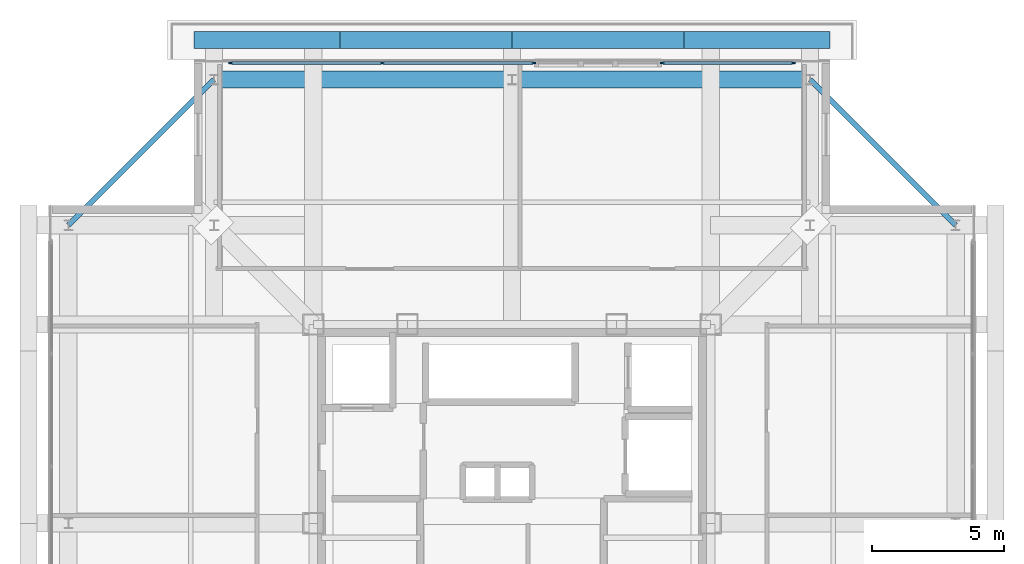
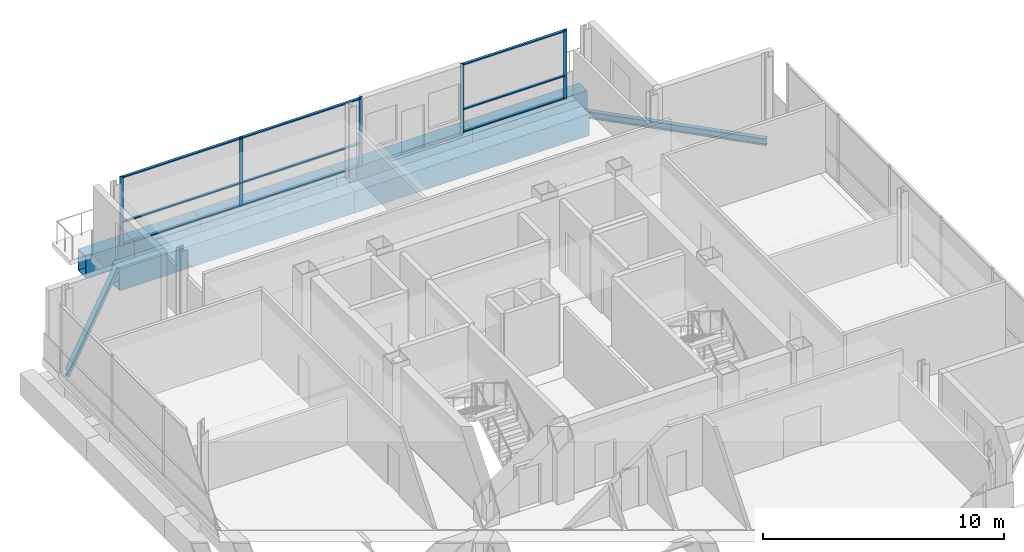
# One storey, part 7 of 15: 14 members, 8 beams, 2 elements without a shape of their own.
"""IFC4 building model written with IfcOpenShell, lengths in metres."""

from ifc_helpers import new_model, si_unit, direction, frame, origin, origin_2d, place, context, subcontext, project, spatial, rectangle, hollow_rectangle, i_section, extrude, material, layer, layer_set, material_profile, profile_set, type_object, element, aggregate, save


model = new_model("IFC4")

# Units and contexts
model_context = context("Model", 3, precision=1e-05, world=origin(), true_north=direction((0.0, 1.0)))
body_context = subcontext(model_context, "Body", "Model", "MODEL_VIEW")
ifc_project = project(units=[si_unit("LENGTHUNIT", "METRE"), si_unit("AREAUNIT", "SQUARE_METRE"), si_unit("VOLUMEUNIT", "CUBIC_METRE"), si_unit("PLANEANGLEUNIT", "RADIAN"), si_unit("MASSUNIT", "GRAM", prefix="KILO")], contexts=[model_context])

# Site, building, storey
site_placement = place(None, origin())
site = spatial("IfcSite", under=ifc_project, at=site_placement, CompositionType="ELEMENT")
building_placement = place(site_placement, origin())
building = spatial("IfcBuilding", under=site, at=building_placement, Name="Trevonay Congress Spire", CompositionType="ELEMENT")
storey_placement = place(building_placement, frame((0.0, 0.0, 300.800048828125)))
storey = spatial("IfcBuildingStorey", under=building, at=storey_placement, Name="L79", CompositionType="ELEMENT", Elevation=300.800048828125)

# Beams
ifc_material_1 = material(Name="Steel ASTM A572 Grade 50", Category="steel")
ifc_material_profile_1 = material_profile(ifc_material_1, hollow_rectangle(XDim=0.64990234375, YDim=1.10009765625, WallThickness=0.044921875, at=origin_2d()), Name="BOX 1100x650x45")
ifc_profile_set_1 = profile_set([ifc_material_profile_1], Name="Steel ASTM A572 Grade 50")
beam_type_1 = type_object("IfcBeamType", Name="BM-RING-BOX1100", PredefinedType="BEAM", material=ifc_profile_set_1)
for number, where, z_axis, x_axis, name in (
    (1, (-11.25, 16.75, -0.949951171875), (1.0, 0.0, 0.0), (0.0, 1.0, 0.0), "L79 structural beam BM-L79-PN1"),
    (2, (0.0, 16.75, -0.949951171875), (1.0, 0.0, 0.0), (0.0, 1.0, 0.0), "L79 structural beam BM-L79-PN2"),
):
    element("IfcBeam", number, at=place(storey_placement, frame(where, z_axis=z_axis, x_axis=x_axis)), inside=storey, type_object=beam_type_1, Name=name, PredefinedType="BEAM", context=body_context, shape_type="SweptSolid", body=[
        extrude(hollow_rectangle(XDim=0.64990234375, YDim=1.10009765625, WallThickness=0.044921875, at=origin_2d()), origin(), (0.0, 0.0, 1.0), 11.25),
    ])
beam_1_placement = place(storey_placement, frame((-12.0, 18.25, -0.949951171875), z_axis=(1.0, 0.0, 0.0), x_axis=(0.0, 1.0, 0.0)))
element("IfcBeam", 3, at=beam_1_placement, inside=storey, type_object=beam_type_1, Name="L79 structural beam XOUT-L79-N0", PredefinedType="BEAM", context=body_context, shape_type="SweptSolid", body=[
    extrude(hollow_rectangle(XDim=0.64990234375, YDim=1.10009765625, WallThickness=0.044921875, at=origin_2d()), origin(), (0.0, 0.0, 1.0), 5.5),
])
for number, where, z_axis, x_axis, name in (
    (4, (-6.5, 18.25, -0.949951171875), (1.0, 0.0, 0.0), (0.0, 1.0, 0.0), "L79 structural beam XOUT-L79-N1"),
    (5, (0.0, 18.25, -0.949951171875), (1.0, 0.0, 0.0), (0.0, 1.0, 0.0), "L79 structural beam XOUT-L79-N2"),
):
    element("IfcBeam", number, at=place(storey_placement, frame(where, z_axis=z_axis, x_axis=x_axis)), inside=storey, type_object=beam_type_1, Name=name, PredefinedType="BEAM", context=body_context, shape_type="SweptSolid", body=[
        extrude(hollow_rectangle(XDim=0.64990234375, YDim=1.10009765625, WallThickness=0.044921875, at=origin_2d()), origin(), (0.0, 0.0, 1.0), 6.5),
    ])
beam_2_placement = place(storey_placement, frame((6.5, 18.25, -0.949951171875), z_axis=(1.0, 0.0, 0.0), x_axis=(0.0, 1.0, 0.0)))
element("IfcBeam", 6, at=beam_2_placement, inside=storey, type_object=beam_type_1, Name="L79 structural beam XOUT-L79-N3", PredefinedType="BEAM", context=body_context, shape_type="SweptSolid", body=[
    extrude(hollow_rectangle(XDim=0.64990234375, YDim=1.10009765625, WallThickness=0.044921875, at=origin_2d()), origin(), (0.0, 0.0, 1.0), 5.5),
])

# Curtain wall, members
ifc_material_2 = material(Name="Pale Anodised Aluminium EN AW-6063-T6", Category="aluminium")
ifc_layer = layer(ifc_material_2, 0.159912109375, Name="Pale Anodised Aluminium EN AW-6063-T6")
ifc_layer_set = layer_set([ifc_layer], Name="Pale Anodised Aluminium EN AW-6063-T6")
curtain_wall_type = type_object("IfcCurtainWallType", Name="CW-SYS06-CROWN-PALE-METAL", PredefinedType="NOTDEFINED", material=ifc_layer_set)
curtain_wall_1_placement = place(storey_placement, origin())
curtain_wall_1 = element("IfcCurtainWall", 7, at=curtain_wall_1_placement, inside=storey, type_object=curtain_wall_type, Name="L79 NA unitised curtain wall", PredefinedType="NOTDEFINED")
ifc_material_profile_2 = material_profile(ifc_material_2, rectangle(XDim=0.06005859375, YDim=0.159912109375, at=origin_2d()), Name="CW-MULLION-160-ALUMINIUM")
ifc_profile_set_2 = profile_set([ifc_material_profile_2], Name="Pale Anodised Aluminium EN AW-6063-T6")
member_type_1 = type_object("IfcMemberType", Name="CW-MULLION-160-ALUMINIUM", PredefinedType="MULLION", material=ifc_profile_set_2)
member_1_placement = place(storey_placement, frame((-10.6201171875, 17.3798828125, 0.0), z_axis=(0.0, 0.0, 1.0), x_axis=(0.0, 1.0, 0.0)))
member_1 = element("IfcMember", 8, at=member_1_placement, type_object=member_type_1, Name="CW06 mullion 1", PredefinedType="MULLION", context=body_context, shape_type="SweptSolid", body=[
    extrude(rectangle(XDim=0.06005859375, YDim=0.159912109375, at=origin_2d()), origin(), (0.0, 0.0, 1.0), 3.52001953125),
])
member_2_placement = place(storey_placement, frame((-4.89990234375, 17.3798828125, 0.0), z_axis=(0.0, 0.0, 1.0), x_axis=(0.0, 1.0, 0.0)))
member_2 = element("IfcMember", 9, at=member_2_placement, type_object=member_type_1, Name="CW06 mullion 2", PredefinedType="MULLION", context=body_context, shape_type="SweptSolid", body=[
    extrude(rectangle(XDim=0.06005859375, YDim=0.159912109375, at=origin_2d()), origin(), (0.0, 0.0, 1.0), 3.52001953125),
])
member_3_placement = place(storey_placement, frame((0.820068359375, 17.3798828125, 0.0), z_axis=(0.0, 0.0, 1.0), x_axis=(0.0, 1.0, 0.0)))
member_3 = element("IfcMember", 10, at=member_3_placement, type_object=member_type_1, Name="CW06 mullion 3", PredefinedType="MULLION", context=body_context, shape_type="SweptSolid", body=[
    extrude(rectangle(XDim=0.06005859375, YDim=0.159912109375, at=origin_2d()), origin(), (0.0, 0.0, 1.0), 3.52001953125),
])

curtain_wall_2_placement = place(storey_placement, origin())
curtain_wall_2 = element("IfcCurtainWall", 11, at=curtain_wall_2_placement, inside=storey, type_object=curtain_wall_type, Name="L79 NB unitised curtain wall", PredefinedType="NOTDEFINED")
member_4_placement = place(storey_placement, frame((5.679931640625, 17.3798828125, 0.0), z_axis=(0.0, 0.0, 1.0), x_axis=(0.0, 1.0, 0.0)))
member_4 = element("IfcMember", 12, at=member_4_placement, type_object=member_type_1, Name="CW06 mullion 1", PredefinedType="MULLION", context=body_context, shape_type="SweptSolid", body=[
    extrude(rectangle(XDim=0.06005859375, YDim=0.159912109375, at=origin_2d()), origin(), (0.0, 0.0, 1.0), 3.52001953125),
])
member_5_placement = place(storey_placement, frame((10.6201171875, 17.3798828125, 0.0), z_axis=(0.0, 0.0, 1.0), x_axis=(0.0, 1.0, 0.0)))
member_5 = element("IfcMember", 13, at=member_5_placement, type_object=member_type_1, Name="CW06 mullion 2", PredefinedType="MULLION", context=body_context, shape_type="SweptSolid", body=[
    extrude(rectangle(XDim=0.06005859375, YDim=0.159912109375, at=origin_2d()), origin(), (0.0, 0.0, 1.0), 3.52001953125),
])

# Member
ifc_material_profile_3 = material_profile(ifc_material_2, rectangle(XDim=0.1201171875, YDim=0.06005859375, at=origin_2d()), Name="CW-TRANSOM-120-ALUMINIUM")
ifc_profile_set_3 = profile_set([ifc_material_profile_3], Name="Pale Anodised Aluminium EN AW-6063-T6")
member_type_2 = type_object("IfcMemberType", Name="CW-TRANSOM-120-ALUMINIUM", PredefinedType="USERDEFINED", material=ifc_profile_set_3)
member_6_placement = place(storey_placement, frame((-10.590087890625, 17.3798828125, 0.06005859375), z_axis=(1.0, 0.0, 0.0), x_axis=(0.0, 1.0, 0.0)))
member_6 = element("IfcMember", 14, at=member_6_placement, type_object=member_type_2, Name="CW06 transom 1.1", ObjectType="TRANSOM", PredefinedType="USERDEFINED", context=body_context, shape_type="SweptSolid", body=[
    extrude(rectangle(XDim=0.1201171875, YDim=0.06005859375, at=origin_2d()), origin(), (0.0, 0.0, 1.0), 5.66015625),
])

member_7_placement = place(storey_placement, frame((-10.590087890625, 17.3798828125, 1.19677734375), z_axis=(1.0, 0.0, 0.0), x_axis=(0.0, 1.0, 0.0)))
member_7 = element("IfcMember", 15, at=member_7_placement, type_object=member_type_2, Name="CW06 transom 1.2", ObjectType="TRANSOM", PredefinedType="USERDEFINED", context=body_context, shape_type="SweptSolid", body=[
    extrude(rectangle(XDim=0.1201171875, YDim=0.06005859375, at=origin_2d()), origin(), (0.0, 0.0, 1.0), 5.66015625),
])

member_8_placement = place(storey_placement, frame((-10.590087890625, 17.3798828125, 3.4599609375), z_axis=(1.0, 0.0, 0.0), x_axis=(0.0, 1.0, 0.0)))
member_8 = element("IfcMember", 16, at=member_8_placement, type_object=member_type_2, Name="CW06 transom 1.3", ObjectType="TRANSOM", PredefinedType="USERDEFINED", context=body_context, shape_type="SweptSolid", body=[
    extrude(rectangle(XDim=0.1201171875, YDim=0.06005859375, at=origin_2d()), origin(), (0.0, 0.0, 1.0), 5.66015625),
])

member_9_placement = place(storey_placement, frame((-4.8701171875, 17.3798828125, 0.06005859375), z_axis=(1.0, 0.0, 0.0), x_axis=(0.0, 1.0, 0.0)))
member_9 = element("IfcMember", 17, at=member_9_placement, type_object=member_type_2, Name="CW06 transom 2.1", ObjectType="TRANSOM", PredefinedType="USERDEFINED", context=body_context, shape_type="SweptSolid", body=[
    extrude(rectangle(XDim=0.1201171875, YDim=0.06005859375, at=origin_2d()), origin(), (0.0, 0.0, 1.0), 5.66015625),
])

member_10_placement = place(storey_placement, frame((-4.8701171875, 17.3798828125, 1.19677734375), z_axis=(1.0, 0.0, 0.0), x_axis=(0.0, 1.0, 0.0)))
member_10 = element("IfcMember", 18, at=member_10_placement, type_object=member_type_2, Name="CW06 transom 2.2", ObjectType="TRANSOM", PredefinedType="USERDEFINED", context=body_context, shape_type="SweptSolid", body=[
    extrude(rectangle(XDim=0.1201171875, YDim=0.06005859375, at=origin_2d()), origin(), (0.0, 0.0, 1.0), 5.66015625),
])

member_11_placement = place(storey_placement, frame((-4.8701171875, 17.3798828125, 3.4599609375), z_axis=(1.0, 0.0, 0.0), x_axis=(0.0, 1.0, 0.0)))
member_11 = element("IfcMember", 19, at=member_11_placement, type_object=member_type_2, Name="CW06 transom 2.3", ObjectType="TRANSOM", PredefinedType="USERDEFINED", context=body_context, shape_type="SweptSolid", body=[
    extrude(rectangle(XDim=0.1201171875, YDim=0.06005859375, at=origin_2d()), origin(), (0.0, 0.0, 1.0), 5.66015625),
])

aggregate(curtain_wall_1, [member_1, member_2, member_3, member_6, member_7, member_8, member_9, member_10, member_11])

member_12_placement = place(storey_placement, frame((5.7099609375, 17.3798828125, 0.06005859375), z_axis=(1.0, 0.0, 0.0), x_axis=(0.0, 1.0, 0.0)))
member_12 = element("IfcMember", 20, at=member_12_placement, type_object=member_type_2, Name="CW06 transom 1.1", ObjectType="TRANSOM", PredefinedType="USERDEFINED", context=body_context, shape_type="SweptSolid", body=[
    extrude(rectangle(XDim=0.1201171875, YDim=0.06005859375, at=origin_2d()), origin(), (0.0, 0.0, 1.0), 4.880126953125),
])

member_13_placement = place(storey_placement, frame((5.7099609375, 17.3798828125, 1.19677734375), z_axis=(1.0, 0.0, 0.0), x_axis=(0.0, 1.0, 0.0)))
member_13 = element("IfcMember", 21, at=member_13_placement, type_object=member_type_2, Name="CW06 transom 1.2", ObjectType="TRANSOM", PredefinedType="USERDEFINED", context=body_context, shape_type="SweptSolid", body=[
    extrude(rectangle(XDim=0.1201171875, YDim=0.06005859375, at=origin_2d()), origin(), (0.0, 0.0, 1.0), 4.880126953125),
])

member_14_placement = place(storey_placement, frame((5.7099609375, 17.3798828125, 3.4599609375), z_axis=(1.0, 0.0, 0.0), x_axis=(0.0, 1.0, 0.0)))
member_14 = element("IfcMember", 22, at=member_14_placement, type_object=member_type_2, Name="CW06 transom 1.3", ObjectType="TRANSOM", PredefinedType="USERDEFINED", context=body_context, shape_type="SweptSolid", body=[
    extrude(rectangle(XDim=0.1201171875, YDim=0.06005859375, at=origin_2d()), origin(), (0.0, 0.0, 1.0), 4.880126953125),
])

aggregate(curtain_wall_2, [member_4, member_5, member_12, member_13, member_14])

# Beams
ifc_material_profile_4 = material_profile(ifc_material_1, i_section(OverallWidth=0.205078125, OverallDepth=0.35400390625, WebThickness=0.009521484375, FlangeThickness=0.016845703125, FilletRadius=0.011962890625, at=origin_2d()), Name="W360x79")
ifc_profile_set_4 = profile_set([ifc_material_profile_4], Name="Steel ASTM A572 Grade 50")
beam_type_2 = type_object("IfcBeamType", Name="SPB-HSS350", PredefinedType="SPANDREL", material=ifc_profile_set_4)
for number, where, z_axis, x_axis, name in (
    (23, (11.25, 16.75, -0.5771484375), (0.707106781187, -0.707106781187, 0.0), (0.707106781187, 0.707106781187, 0.0), "L79 structural beam SPB-L79-NE"),
    (24, (-11.25, 16.75, -0.5771484375), (-0.707106781187, -0.707106781187, 0.0), (0.707106781187, -0.707106781187, 0.0), "L79 structural beam SPB-L79-NW"),
):
    element("IfcBeam", number, at=place(storey_placement, frame(where, z_axis=z_axis, x_axis=x_axis)), inside=storey, type_object=beam_type_2, Name=name, PredefinedType="SPANDREL", context=body_context, shape_type="SweptSolid", body=[
        extrude(i_section(OverallWidth=0.205078125, OverallDepth=0.35400390625, WebThickness=0.009521484375, FlangeThickness=0.016845703125, FilletRadius=0.011962890625, at=origin_2d()), origin(), (0.0, 0.0, 1.0), 7.778076171875),
    ])

save(model, "model.ifc")
